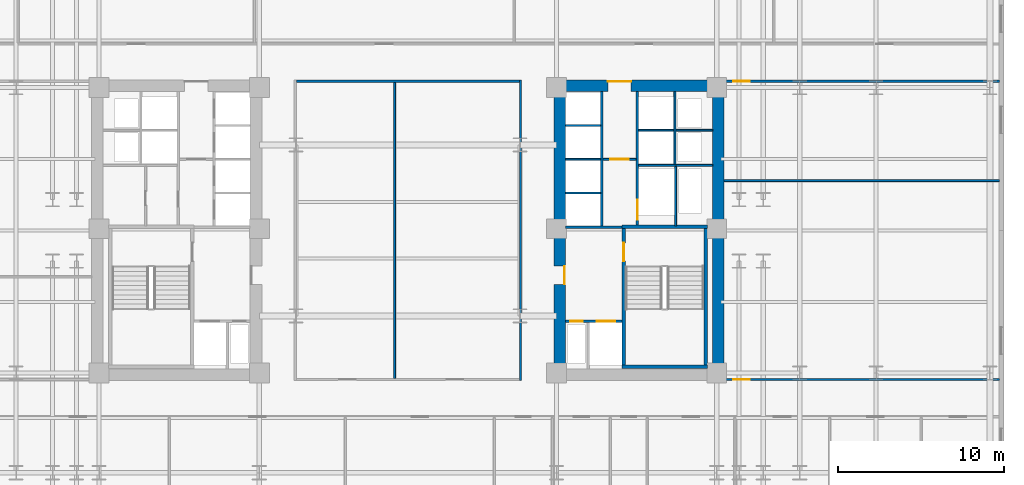
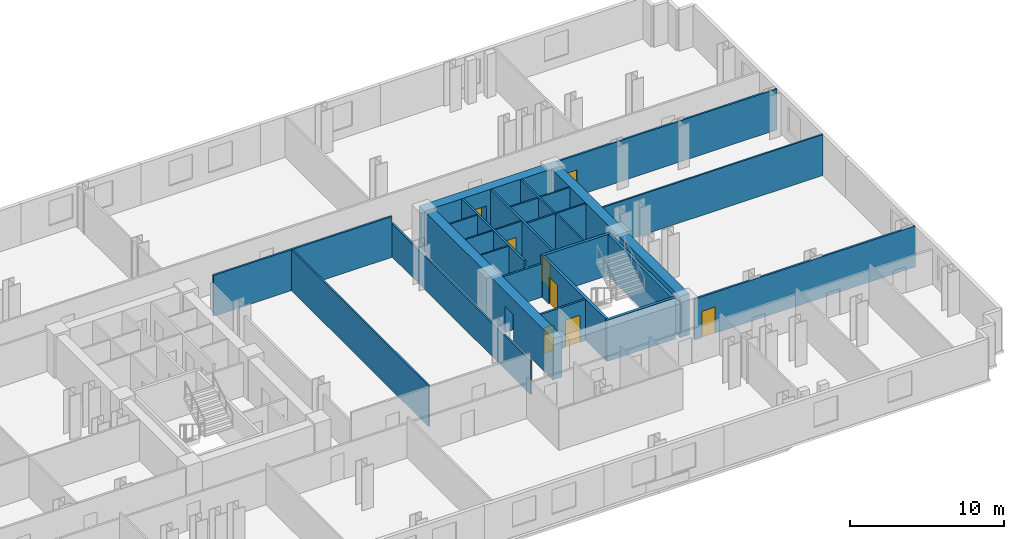
# One storey, part 6 of 10: 26 walls, 9 doors, 9 openings.
"""IFC4 building model written with IfcOpenShell, lengths in metres."""

import ifcopenshell
import ifcopenshell.guid

model = None  # the IFC model being written
_history = None  # IfcOwnerHistory: only IFC2X3 demands one
_inside = {}  # id of a spatial element -> (the spatial element, [elements in it])
_under = {}  # id of a project, library or spatial element -> (it, [spatial elements below it])
_declared = {}  # id of a project -> (the project, [libraries it declares])
_typed = {}  # id of a type object -> (the type object, [elements of that type])
_made_of = {}  # id of a material, layer set ... -> (it, [elements and type objects made of it])


def new_model(schema):
    """Start an empty IFC model of exactly this schema.

    Asked for "IFC4X3", IfcOpenShell would pick the latest addendum, in which some entities
    have other attributes; the version numbers below select the first issue.
    IFC2X3 requires an IfcOwnerHistory on every rooted entity: one is made here for all.
    """
    global model, _history
    if schema == "IFC4X3":
        model = ifcopenshell.file(schema_version=(4, 3, 0, 0))
    else:
        model = ifcopenshell.file(schema=schema)
    _inside.clear()
    _under.clear()
    _declared.clear()
    _typed.clear()
    _made_of.clear()
    _history = None
    if model.schema == "IFC2X3":
        org = make("IfcOrganization", Name="unknown")
        user = make(
            "IfcPersonAndOrganization",
            ThePerson=make("IfcPerson", FamilyName="unknown"),
            TheOrganization=org,
        )
        app = make(
            "IfcApplication",
            ApplicationDeveloper=org,
            Version="unknown",
            ApplicationFullName="unknown",
            ApplicationIdentifier="unknown",
        )
        _history = make(
            "IfcOwnerHistory",
            OwningUser=user,
            OwningApplication=app,
            ChangeAction="ADDED",
            CreationDate=0,
        )
    return model


def make(cls, **values):
    """One entity of the class cls with the attributes given. An attribute that is None is left unset."""
    return model.create_entity(
        cls, **{name: value for name, value in values.items() if value is not None}
    )


def rooted(cls, **values):
    """An entity with a GlobalId (a new one), such as an element, a storey or a relation."""
    return make(cls, GlobalId=ifcopenshell.guid.new(), OwnerHistory=_history, **values)


def si_unit(unit_type, name, prefix=None):
    """IfcSIUnit, for example si_unit("LENGTHUNIT", "METRE", prefix="MILLI")."""
    return make("IfcSIUnit", UnitType=unit_type, Prefix=prefix, Name=name)


def assignment(units):
    """IfcUnitAssignment: the units of a project."""
    return None if units is None else make("IfcUnitAssignment", Units=units)


def point(xyz):
    """IfcCartesianPoint."""
    return None if xyz is None else make("IfcCartesianPoint", Coordinates=xyz)


def direction(xyz):
    """IfcDirection."""
    return None if xyz is None else make("IfcDirection", DirectionRatios=xyz)


def frame(location, z_axis=None, x_axis=None):
    """IfcAxis2Placement3D, a coordinate frame: its origin and axes. An axis left out is left unset."""
    return make(
        "IfcAxis2Placement3D",
        Location=point(location),
        Axis=direction(z_axis),
        RefDirection=direction(x_axis),
    )


def frame_2d(location, x_axis=None):
    """IfcAxis2Placement2D, a coordinate frame in the plane: its origin and x axis."""
    return make(
        "IfcAxis2Placement2D", Location=point(location), RefDirection=direction(x_axis)
    )


def origin():
    """The frame at (0, 0, 0) with its axes left unset."""
    return frame((0.0, 0.0, 0.0))


def place(relative_to, where):
    """IfcLocalPlacement: puts the frame where relative to a parent placement (None: the world)."""
    return make(
        "IfcLocalPlacement", PlacementRelTo=relative_to, RelativePlacement=where
    )


def context(
    kind, dimensions, precision=None, world=None, true_north=None, identifier=None
):
    """IfcGeometricRepresentationContext, for example the 3D "Model" context."""
    return make(
        "IfcGeometricRepresentationContext",
        ContextIdentifier=identifier,
        ContextType=kind,
        CoordinateSpaceDimension=dimensions,
        Precision=precision,
        WorldCoordinateSystem=world,
        TrueNorth=true_north,
    )


def subcontext(parent, identifier, kind, view, scale=None):
    """IfcGeometricRepresentationSubContext, for example "Body" below "Model"."""
    return make(
        "IfcGeometricRepresentationSubContext",
        ContextIdentifier=identifier,
        ContextType=kind,
        ParentContext=parent,
        TargetScale=scale,
        TargetView=view,
    )


def project(units=None, contexts=None):
    """IfcProject with its units and contexts."""
    return rooted(
        "IfcProject",
        Name="project",
        RepresentationContexts=contexts,
        UnitsInContext=assignment(units),
    )


def spatial(cls, under=None, at=None, **own):
    """A site, building, storey or space (cls), placed at a placement, below another one or the project."""
    s = rooted(cls, ObjectPlacement=at, **own)
    if under is not None:
        _under.setdefault(under.id(), (under, []))[1].append(s)
    return s


def profile(cls, at=None, kind="AREA", **sizes):
    """A parametric profile (cls). Its sizes go by their IFC names, for example OverallWidth=200.0."""
    return make(cls, ProfileType=kind, Position=at, **sizes)


def rectangle(**sizes):
    """IfcRectangleProfileDef."""
    return profile("IfcRectangleProfileDef", **sizes)


def extrude(swept, where, along, depth):
    """IfcExtrudedAreaSolid: the profile swept, set in the frame where, extruded along a direction by depth."""
    return make(
        "IfcExtrudedAreaSolid",
        SweptArea=swept,
        Position=where,
        ExtrudedDirection=direction(along),
        Depth=depth,
    )


def shape(context_of_items, identifier, shape_type, items):
    """IfcShapeRepresentation: the items that make up one representation, for example the "Body"."""
    return make(
        "IfcShapeRepresentation",
        ContextOfItems=context_of_items,
        RepresentationIdentifier=identifier,
        RepresentationType=shape_type,
        Items=items,
    )


def material(Name=None, Category=None):
    """IfcMaterial."""
    return make("IfcMaterial", Name=Name, Category=Category)


def layer(
    of_material, thickness, ventilated=None, Name=None, Category=None, Priority=None
):
    """IfcMaterialLayer: one layer of a wall or slab, of a material (None: an air gap)."""
    return make(
        "IfcMaterialLayer",
        Material=of_material,
        LayerThickness=thickness,
        IsVentilated=ventilated,
        Name=Name,
        Category=Category,
        Priority=Priority,
    )


def layer_set(layers, Name=None):
    """IfcMaterialLayerSet."""
    return make("IfcMaterialLayerSet", MaterialLayers=layers, LayerSetName=Name)


def made_of(thing, what):
    """Note that an element or type object is made of a material, layer set ...; save() writes the relation."""
    if what is not None:
        _made_of.setdefault(what.id(), (what, []))[1].append(thing)
    return thing


def type_object(cls, material=None, **own):
    """A type object (cls), such as IfcWallType, which elements share."""
    return made_of(rooted(cls, **own), material)


def element(
    cls,
    number,
    at=None,
    inside=None,
    cuts=None,
    type_object=None,
    material=None,
    context=None,
    identifier="Body",
    shape_type=None,
    held_by="IfcProductDefinitionShape",
    body=None,
    shapes=None,
    **own,
):
    """One element of the class cls, such as IfcWall. Its Tag is "e" and its number.

    at: its placement. inside: the storey or other place that contains it. cuts: it is an
    opening in that element (IfcRelVoidsElement). A single representation is given by context,
    identifier, shape_type and body (its items); several are given by shapes. held_by: the class
    of the entity that holds the representations. save() writes the other relations.
    """
    e = rooted(cls, Tag="e%d" % number, ObjectPlacement=at, **own)
    if body is not None:
        shapes = [shape(context, identifier, shape_type, body)]
    if shapes is not None:
        e.Representation = make(held_by, Representations=shapes)
    if inside is not None:
        _inside.setdefault(inside.id(), (inside, []))[1].append(e)
    if cuts is not None:
        rooted(
            "IfcRelVoidsElement", RelatingBuildingElement=cuts, RelatedOpeningElement=e
        )
    if type_object is not None:
        _typed.setdefault(type_object.id(), (type_object, []))[1].append(e)
    return made_of(e, material)


def fill(opening, filler):
    """IfcRelFillsElement: the door or window that sits in an opening."""
    return rooted(
        "IfcRelFillsElement",
        RelatingOpeningElement=opening,
        RelatedBuildingElement=filler,
    )


def aggregate(whole, parts):
    """IfcRelAggregates: a whole, such as a stair, and the parts it consists of."""
    return rooted("IfcRelAggregates", RelatingObject=whole, RelatedObjects=parts)


def save(model, path):
    """Write the relations noted so far, then the file.

    IfcRelAggregates (storeys below a building ...), IfcRelContainedInSpatialStructure (elements
    in a storey), IfcRelDefinesByType, IfcRelAssociatesMaterial and IfcRelDeclares: one each for
    every whole, place, type object, material and project.
    """
    for whole, parts in _under.values():
        aggregate(whole, parts)
    for where, things in _inside.values():
        rooted(
            "IfcRelContainedInSpatialStructure",
            RelatedElements=things,
            RelatingStructure=where,
        )
    for kind, things in _typed.values():
        rooted("IfcRelDefinesByType", RelatedObjects=things, RelatingType=kind)
    for what, things in _made_of.values():
        rooted("IfcRelAssociatesMaterial", RelatedObjects=things, RelatingMaterial=what)
    for by, libraries in _declared.values():
        rooted("IfcRelDeclares", RelatingContext=by, RelatedDefinitions=libraries)
    model.write(path)


model = new_model("IFC4")

# Units and contexts
model_context = context("Model", 3, precision=1e-05, world=origin(), true_north=direction((0.0, 1.0)))
body_context = subcontext(model_context, "Body", "Model", "MODEL_VIEW")
ifc_project = project(units=[si_unit("LENGTHUNIT", "METRE"), si_unit("AREAUNIT", "SQUARE_METRE"), si_unit("VOLUMEUNIT", "CUBIC_METRE"), si_unit("PLANEANGLEUNIT", "RADIAN"), si_unit("MASSUNIT", "GRAM", prefix="KILO")], contexts=[model_context])

# Site, building, storey
site_placement = place(None, origin())
site = spatial("IfcSite", under=ifc_project, at=site_placement, CompositionType="ELEMENT")
building_placement = place(site_placement, origin())
building = spatial("IfcBuilding", under=site, at=building_placement, Name="Velakula Bourse", CompositionType="ELEMENT")
storey_placement = place(building_placement, frame((0.0, 0.0, 48.449951171875)))
storey = spatial("IfcBuildingStorey", under=building, at=storey_placement, Name="L12", CompositionType="ELEMENT", Elevation=48.449951171875)

# Wall, opening, door
ifc_material_1 = material(Name="Concrete M50 (fck 50 MPa)", Category="concrete")
ifc_layer_1 = layer(ifc_material_1, 0.2099609375, Name="Concrete M50 (fck 50 MPa)", Category="concrete")
ifc_layer_set_1 = layer_set([ifc_layer_1], Name="Concrete M50 (fck 50 MPa)")
wall_type_1 = type_object("IfcWallType", Name="WL-CORE-210", PredefinedType="SHEAR", material=ifc_layer_set_1)
wall_1_placement = place(storey_placement, frame((12.9951171875, -8.10009765625, 0.0), z_axis=(0.0, 0.0, 1.0), x_axis=(0.0, 1.0, 0.0)))
wall_1 = element("IfcWall", 1, at=wall_1_placement, inside=storey, type_object=wall_type_1, Name="L12 Core E Stairwell Shear Wall IN", PredefinedType="SHEAR", context=body_context, shape_type="SweptSolid", body=[
    extrude(rectangle(XDim=8.2001953125, YDim=0.2099609375, at=frame_2d((4.10009765625, 0.0))), origin(), (0.0, 0.0, 1.0), 3.27001953125),
])
opening_1_placement = place(wall_1_placement, frame((6.25, 0.0, 0.0)))
opening_1 = element("IfcOpeningElement", 2, at=opening_1_placement, cuts=wall_1, Name="Opening D-STE1", PredefinedType="OPENING", context=body_context, shape_type="SweptSolid", body=[
    extrude(rectangle(XDim=1.10009765625, YDim=2.14990234375, at=frame_2d((0.550048828125, 1.074951171875))), frame((0.0, 0.114990234375, 0.0), z_axis=(0.0, -1.0, 0.0), x_axis=(1.0, 0.0, 0.0)), (0.0, 0.0, 1.0), 0.22998046875),
])
ifc_material_2 = material(Name="Galvanised painted hollow steel fire door", Category="steel")
door_type_1 = type_object("IfcDoorType", Name="DR-FD120-1100x2150", OperationType="NOTDEFINED", PredefinedType="DOOR", material=ifc_material_2)
door_1_placement = place(opening_1_placement, origin())
door_1 = element("IfcDoor", 3, at=door_1_placement, inside=storey, type_object=door_type_1, Name="L12 Stair ST-E1 Fire Door", OperationType="SINGLE_SWING_RIGHT", OverallHeight=2.14990234375, OverallWidth=1.10009765625, PredefinedType="DOOR", context=body_context, shape_type="SweptSolid", body=[
    extrude(rectangle(XDim=1.10009765625, YDim=2.14990234375, at=frame_2d((0.550048828125, 1.074951171875))), frame((0.0, 0.02490234375, 0.0), z_axis=(0.0, -1.0, 0.0), x_axis=(1.0, 0.0, 0.0)), (0.0, 0.0, 1.0), 0.050048828125),
])
fill(opening_1, door_1)

# Walls
wall_2_placement = place(storey_placement, frame((17.925048828125, -8.10009765625, 0.0), z_axis=(0.0, 0.0, 1.0), x_axis=(0.0, 1.0, 0.0)))
element("IfcWall", 4, at=wall_2_placement, inside=storey, type_object=wall_type_1, Name="L12 Core E Stairwell Shear Wall OUT", PredefinedType="SHEAR", context=body_context, shape_type="SweptSolid", body=[
    extrude(rectangle(XDim=8.2001953125, YDim=0.2099609375, at=frame_2d((4.10009765625, 0.0))), origin(), (0.0, 0.0, 1.0), 3.27001953125),
])
for number, where, z_axis, x_axis, name in (
    (5, (12.889892578125, -8.205078125, 0.0), (0.0, 0.0, 1.0), (1.0, 0.0, 0.0), "L12 Core E Stairwell Shear Wall S"),
    (6, (18.030029296875, 0.205078125, 0.0), (0.0, 0.0, 1.0), (-1.0, 0.0, 0.0), "L12 Core E Stairwell Shear Wall N"),
):
    element("IfcWall", number, at=place(storey_placement, frame(where, z_axis=z_axis, x_axis=x_axis)), inside=storey, type_object=wall_type_1, Name=name, PredefinedType="SHEAR", context=body_context, shape_type="SweptSolid", body=[
        extrude(rectangle(XDim=5.14013671875, YDim=0.2099609375, at=frame_2d((2.570068359375, 0.0))), origin(), (0.0, 0.0, 1.0), 3.27001953125),
    ])

# Wall, opening, door
ifc_material_3 = material(Name="Concrete M70 (fck 70 MPa)", Category="concrete")
ifc_layer_2 = layer(ifc_material_3, 0.699951171875, Name="Concrete M70 (fck 70 MPa)", Category="concrete")
ifc_layer_set_2 = layer_set([ifc_layer_2], Name="Concrete M70 (fck 70 MPa)")
wall_type_2 = type_object("IfcWallType", Name="WL-CORE-700", PredefinedType="SHEAR", material=ifc_layer_set_2)
wall_3_placement = place(storey_placement, frame((8.800048828125, 8.699951171875, 0.0), z_axis=(0.0, 0.0, 1.0), x_axis=(1.0, 0.0, 0.0)))
wall_3 = element("IfcWall", 7, at=wall_3_placement, inside=storey, type_object=wall_type_2, Name="L12 Core E Shear Wall N", PredefinedType="SHEAR", context=body_context, shape_type="SweptSolid", body=[
    extrude(rectangle(XDim=10.25, YDim=0.699951171875, at=frame_2d((5.125, 0.0))), origin(), (0.0, 0.0, 1.0), 3.27001953125),
])
opening_2_placement = place(wall_3_placement, frame((3.25, 0.0, 0.0)))
opening_2 = element("IfcOpeningElement", 8, at=opening_2_placement, cuts=wall_3, Name="Opening D-LLE", PredefinedType="OPENING", context=body_context, shape_type="SweptSolid", body=[
    extrude(rectangle(XDim=1.39990234375, YDim=2.050048828125, at=frame_2d((0.699951171875, 1.02490234375))), frame((0.0, 0.35986328125, 0.0), z_axis=(0.0, -1.0, 0.0), x_axis=(1.0, 0.0, 0.0)), (0.0, 0.0, 1.0), 0.719970703125),
])
ifc_material_4 = material(Name="Fire-rated hardwood flush architectural door", Category="wood")
door_type_2 = type_object("IfcDoorType", Name="DR-DBL-FD60-1400", OperationType="DOUBLE_DOOR_SINGLE_SWING", PredefinedType="DOOR", material=ifc_material_4)
door_2_placement = place(opening_2_placement, origin())
door_2 = element("IfcDoor", 9, at=door_2_placement, inside=storey, type_object=door_type_2, Name="L12 Core E Lift Lobby Corridor Double Door", OperationType="DOUBLE_DOOR_SINGLE_SWING", OverallHeight=2.050048828125, OverallWidth=1.39990234375, PredefinedType="DOOR", context=body_context, shape_type="SweptSolid", body=[
    extrude(rectangle(XDim=1.39990234375, YDim=2.050048828125, at=frame_2d((0.699951171875, 1.02490234375))), frame((0.0, 0.294921875, 0.0), z_axis=(0.0, -1.0, 0.0), x_axis=(1.0, 0.0, 0.0)), (0.0, 0.0, 1.0), 0.050048828125),
])
fill(opening_2, door_2)

wall_4_placement = place(storey_placement, frame((9.14990234375, -8.35009765625, 0.0), z_axis=(0.0, 0.0, 1.0), x_axis=(0.0, 1.0, 0.0)))
wall_4 = element("IfcWall", 10, at=wall_4_placement, inside=storey, type_object=wall_type_2, Name="L12 Core E Shear Wall W", PredefinedType="SHEAR", context=body_context, shape_type="SweptSolid", body=[
    extrude(rectangle(XDim=16.7001953125, YDim=0.699951171875, at=frame_2d((8.35009765625, 0.0))), origin(), (0.0, 0.0, 1.0), 3.27001953125),
])
opening_3_placement = place(wall_4_placement, frame((5.10009765625, 0.0, 0.0)))
opening_3 = element("IfcOpeningElement", 11, at=opening_3_placement, cuts=wall_4, Name="Opening D-FLE", PredefinedType="OPENING", context=body_context, shape_type="SweptSolid", body=[
    extrude(rectangle(XDim=1.10009765625, YDim=2.080078125, at=frame_2d((0.550048828125, 1.0400390625))), frame((0.0, 0.35986328125, 0.0), z_axis=(0.0, -1.0, 0.0), x_axis=(1.0, 0.0, 0.0)), (0.0, 0.0, 1.0), 0.719970703125),
])
door_type_3 = type_object("IfcDoorType", Name="DR-FD120-1100", OperationType="NOTDEFINED", PredefinedType="DOOR", material=ifc_material_2)
door_3_placement = place(opening_3_placement, origin())
door_3 = element("IfcDoor", 12, at=door_3_placement, inside=storey, type_object=door_type_3, Name="L12 Firefighting Lobby E Corridor Fire Door", OperationType="SINGLE_SWING_RIGHT", OverallHeight=2.080078125, OverallWidth=1.10009765625, PredefinedType="DOOR", context=body_context, shape_type="SweptSolid", body=[
    extrude(rectangle(XDim=1.10009765625, YDim=2.080078125, at=frame_2d((0.550048828125, 1.0400390625))), frame((0.0, -0.2548828125, 0.0), z_axis=(0.0, -1.0, 0.0), x_axis=(1.0, 0.0, 0.0)), (0.0, 0.0, 1.0), 0.050048828125),
])
fill(opening_3, door_3)

# Wall
wall_5_placement = place(storey_placement, frame((18.699951171875, -8.35009765625, 0.0), z_axis=(0.0, 0.0, 1.0), x_axis=(0.0, 1.0, 0.0)))
element("IfcWall", 13, at=wall_5_placement, inside=storey, type_object=wall_type_2, Name="L12 Core E Shear Wall E", PredefinedType="SHEAR", context=body_context, shape_type="SweptSolid", body=[
    extrude(rectangle(XDim=16.7001953125, YDim=0.699951171875, at=frame_2d((8.35009765625, 0.0))), origin(), (0.0, 0.0, 1.0), 3.27001953125),
])

# Wall, opening, door
ifc_material_5 = material(Name="Fire-rated double-layer gypsum drywall partition", Category="gypsum")
ifc_layer_3 = layer(ifc_material_5, 0.1201171875, Name="Fire-rated double-layer gypsum drywall partition", Category="gypsum")
ifc_layer_set_3 = layer_set([ifc_layer_3], Name="Fire-rated double-layer gypsum drywall partition")
wall_type_3 = type_object("IfcWallType", Name="WL-PART-120", PredefinedType="STANDARD", material=ifc_layer_set_3)
wall_6_placement = place(storey_placement, frame((11.75, 4.280029296875, 0.0), z_axis=(0.0, 0.0, 1.0), x_axis=(1.0, 0.0, 0.0)))
wall_6 = element("IfcWall", 14, at=wall_6_placement, inside=storey, type_object=wall_type_3, Name="L12 Interior Partition WL-CRE-L12-LL-K2", PredefinedType="STANDARD", context=body_context, shape_type="SweptSolid", body=[
    extrude(rectangle(XDim=2.0, YDim=0.1201171875, at=frame_2d((1.0, 0.0))), origin(), (0.0, 0.0, 1.0), 3.25),
])
opening_4_placement = place(wall_6_placement, frame((0.449951171875, 0.0, 0.0)))
opening_4 = element("IfcOpeningElement", 15, at=opening_4_placement, cuts=wall_6, Name="Opening D-LK2", PredefinedType="OPENING", context=body_context, shape_type="SweptSolid", body=[
    extrude(rectangle(XDim=1.10009765625, YDim=2.10009765625, at=frame_2d((0.550048828125, 1.050048828125))), frame((0.0, 0.070068359375, 0.0), z_axis=(0.0, -1.0, 0.0), x_axis=(1.0, 0.0, 0.0)), (0.0, 0.0, 1.0), 0.14013671875),
])
door_type_4 = type_object("IfcDoorType", Name="DR-FD60-1100x2100", OperationType="NOTDEFINED", PredefinedType="DOOR", material=ifc_material_4)
door_4_placement = place(opening_4_placement, origin())
door_4 = element("IfcDoor", 16, at=door_4_placement, inside=storey, type_object=door_type_4, Name="L12 Core E Lift Lobby Zone Door", OperationType="SINGLE_SWING_LEFT", OverallHeight=2.10009765625, OverallWidth=1.10009765625, PredefinedType="DOOR", context=body_context, shape_type="SweptSolid", body=[
    extrude(rectangle(XDim=1.10009765625, YDim=2.10009765625, at=frame_2d((0.550048828125, 1.050048828125))), frame((0.0, 0.02490234375, 0.0), z_axis=(0.0, -1.0, 0.0), x_axis=(1.0, 0.0, 0.0)), (0.0, 0.0, 1.0), 0.050048828125),
])
fill(opening_4, door_4)

# Walls
for number, where, z_axis, x_axis, name in (
    (17, (9.5, 2.2548828125, 0.0), (0.0, 0.0, 1.0), (1.0, 0.0, 0.0), "L12 Interior Partition WL-CRE-L12-BDIV-0"),
    (18, (9.5, 4.284912109375, 0.0), (0.0, 0.0, 1.0), (1.0, 0.0, 0.0), "L12 Interior Partition WL-CRE-L12-BDIV-1"),
    (19, (9.5, 6.31494140625, 0.0), (0.0, 0.0, 1.0), (1.0, 0.0, 0.0), "L12 Interior Partition WL-CRE-L12-BDIV-2"),
):
    element("IfcWall", number, at=place(storey_placement, frame(where, z_axis=z_axis, x_axis=x_axis)), inside=storey, type_object=wall_type_3, Name=name, PredefinedType="STANDARD", context=body_context, shape_type="SweptSolid", body=[
        extrude(rectangle(XDim=2.10009765625, YDim=0.110107421875, at=frame_2d((1.050048828125, 0.0))), origin(), (0.0, 0.0, 1.0), 3.25),
    ])
wall_7_placement = place(storey_placement, frame((13.89990234375, 3.919921875, 0.0), z_axis=(0.0, 0.0, 1.0), x_axis=(1.0, 0.0, 0.0)))
element("IfcWall", 20, at=wall_7_placement, inside=storey, type_object=wall_type_3, Name="L12 Interior Partition WL-CRE-L12-HI-S", PredefinedType="STANDARD", context=body_context, shape_type="SweptSolid", body=[
    extrude(rectangle(XDim=4.4501953125, YDim=0.1201171875, at=frame_2d((2.22509765625, 0.0))), origin(), (0.0, 0.0, 1.0), 3.25),
])
wall_8_placement = place(storey_placement, frame((16.14990234375, 6.030029296875, 0.0), z_axis=(0.0, 0.0, 1.0), x_axis=(1.0, 0.0, 0.0)))
element("IfcWall", 21, at=wall_8_placement, inside=storey, type_object=wall_type_3, Name="L12 Interior Partition WL-CRE-L12-RIS-MID", PredefinedType="STANDARD", context=body_context, shape_type="SweptSolid", body=[
    extrude(rectangle(XDim=2.2001953125, YDim=0.1201171875, at=frame_2d((1.10009765625, 0.0))), origin(), (0.0, 0.0, 1.0), 3.25),
])
wall_9_placement = place(storey_placement, frame((16.074951171875, 3.97998046875, 0.0), z_axis=(0.0, 0.0, 1.0), x_axis=(0.0, 1.0, 0.0)))
element("IfcWall", 22, at=wall_9_placement, inside=storey, type_object=wall_type_3, Name="L12 Interior Partition WL-CRE-L12-RIS-F", PredefinedType="STANDARD", context=body_context, shape_type="SweptSolid", body=[
    extrude(rectangle(XDim=4.3701171875, YDim=0.1201171875, at=frame_2d((2.18505859375, 0.0))), origin(), (0.0, 0.0, 1.0), 3.25),
])
wall_10_placement = place(storey_placement, frame((13.89990234375, 6.030029296875, 0.0), z_axis=(0.0, 0.0, 1.0), x_axis=(1.0, 0.0, 0.0)))
element("IfcWall", 23, at=wall_10_placement, inside=storey, type_object=wall_type_3, Name="L12 Interior Partition WL-CRE-L12-HI-DIV", PredefinedType="STANDARD", context=body_context, shape_type="SweptSolid", body=[
    extrude(rectangle(XDim=2.10009765625, YDim=0.1201171875, at=frame_2d((1.050048828125, 0.0))), origin(), (0.0, 0.0, 1.0), 3.25),
])
wall_11_placement = place(storey_placement, frame((16.125, 0.27001953125, 0.0), z_axis=(0.0, 0.0, 1.0), x_axis=(0.0, 1.0, 0.0)))
element("IfcWall", 24, at=wall_11_placement, inside=storey, type_object=wall_type_3, Name="L12 Interior Partition WL-CRE-L12-SVL-E", PredefinedType="STANDARD", context=body_context, shape_type="SweptSolid", body=[
    extrude(rectangle(XDim=3.590087890625, YDim=0.1201171875, at=frame_2d((1.794921875, 0.0))), origin(), (0.0, 0.0, 1.0), 3.25),
])
wall_12_placement = place(storey_placement, frame((19.050048828125, 3.0, 0.0), z_axis=(0.0, 0.0, 1.0), x_axis=(1.0, 0.0, 0.0)))
element("IfcWall", 25, at=wall_12_placement, inside=storey, type_object=wall_type_3, Name="L12 Interior Partition WL-INT-L12-E-H", PredefinedType="STANDARD", context=body_context, shape_type="SweptSolid", body=[
    extrude(rectangle(XDim=16.570068359375, YDim=0.1201171875, at=frame_2d((8.28515625, 0.0))), origin(), (0.0, 0.0, 1.0), 3.25),
])

# Wall, opening, door
ifc_layer_4 = layer(ifc_material_5, 0.139892578125, Name="Fire-rated double-layer gypsum drywall partition", Category="gypsum")
ifc_layer_set_4 = layer_set([ifc_layer_4], Name="Fire-rated double-layer gypsum drywall partition")
wall_type_4 = type_object("IfcWallType", Name="WL-PART-140", PredefinedType="STANDARD", material=ifc_layer_set_4)
wall_13_placement = place(storey_placement, frame((19.050048828125, 8.97998046875, 0.0), z_axis=(0.0, 0.0, 1.0), x_axis=(1.0, 0.0, 0.0)))
wall_13 = element("IfcWall", 26, at=wall_13_placement, inside=storey, type_object=wall_type_4, Name="L12 Interior Partition WL-INT-L12-E-NC", PredefinedType="STANDARD", context=body_context, shape_type="SweptSolid", body=[
    extrude(rectangle(XDim=16.570068359375, YDim=0.139892578125, at=frame_2d((8.28515625, 0.0))), origin(), (0.0, 0.0, 1.0), 3.25),
])
opening_5_placement = place(wall_13_placement, frame((0.53955078125, 0.0, 0.0)))
opening_5 = element("IfcOpeningElement", 27, at=opening_5_placement, cuts=wall_13, Name="Opening D-OF1", PredefinedType="OPENING", context=body_context, shape_type="SweptSolid", body=[
    extrude(rectangle(XDim=1.0, YDim=2.080078125, at=frame_2d((0.5, 1.0400390625))), frame((0.0, 0.079833984375, 0.0), z_axis=(0.0, -1.0, 0.0), x_axis=(1.0, 0.0, 0.0)), (0.0, 0.0, 1.0), 0.159912109375),
])
door_type_5 = type_object("IfcDoorType", Name="DR-OFF-1000", OperationType="NOTDEFINED", PredefinedType="DOOR", material=ifc_material_4)
door_5_placement = place(opening_5_placement, origin())
door_5 = element("IfcDoor", 28, at=door_5_placement, inside=storey, type_object=door_type_5, Name="L12 Issuer Relations Office Door", OperationType="SINGLE_SWING_LEFT", OverallHeight=2.080078125, OverallWidth=1.0, PredefinedType="DOOR", context=body_context, shape_type="SweptSolid", body=[
    extrude(rectangle(XDim=1.0, YDim=2.080078125, at=frame_2d((0.5, 1.0400390625))), frame((0.0, 0.02490234375, 0.0), z_axis=(0.0, -1.0, 0.0), x_axis=(1.0, 0.0, 0.0)), (0.0, 0.0, 1.0), 0.050048828125),
])
fill(opening_5, door_5)

wall_14_placement = place(storey_placement, frame((19.050048828125, -8.97998046875, 0.0), z_axis=(0.0, 0.0, 1.0), x_axis=(1.0, 0.0, 0.0)))
wall_14 = element("IfcWall", 29, at=wall_14_placement, inside=storey, type_object=wall_type_4, Name="L12 Interior Partition WL-INT-L12-E-SC", PredefinedType="STANDARD", context=body_context, shape_type="SweptSolid", body=[
    extrude(rectangle(XDim=16.570068359375, YDim=0.139892578125, at=frame_2d((8.28515625, 0.0))), origin(), (0.0, 0.0, 1.0), 3.25),
])
opening_6_placement = place(wall_14_placement, frame((0.53955078125, 0.0, 0.0)))
opening_6 = element("IfcOpeningElement", 30, at=opening_6_placement, cuts=wall_14, Name="Opening D-OF1", PredefinedType="OPENING", context=body_context, shape_type="SweptSolid", body=[
    extrude(rectangle(XDim=1.0, YDim=2.080078125, at=frame_2d((0.5, 1.0400390625))), frame((0.0, 0.079833984375, 0.0), z_axis=(0.0, -1.0, 0.0), x_axis=(1.0, 0.0, 0.0)), (0.0, 0.0, 1.0), 0.159912109375),
])
door_6_placement = place(opening_6_placement, origin())
door_6 = element("IfcDoor", 31, at=door_6_placement, inside=storey, type_object=door_type_5, Name="L12 ESG Rating Analytics Workspace Door", OperationType="SINGLE_SWING_RIGHT", OverallHeight=2.080078125, OverallWidth=1.0, PredefinedType="DOOR", context=body_context, shape_type="SweptSolid", body=[
    extrude(rectangle(XDim=1.0, YDim=2.080078125, at=frame_2d((0.5, 1.0400390625))), frame((0.0, 0.02490234375, 0.0), z_axis=(0.0, -1.0, 0.0), x_axis=(1.0, 0.0, 0.0)), (0.0, 0.0, 1.0), 0.050048828125),
])
fill(opening_6, door_6)

# Walls
wall_15_placement = place(storey_placement, frame((6.780029296875, -9.050048828125, 0.0), z_axis=(0.0, 0.0, 1.0), x_axis=(0.0, 1.0, 0.0)))
element("IfcWall", 32, at=wall_15_placement, inside=storey, type_object=wall_type_4, Name="L12 Interior Partition WL-INT-L12-MID-E", PredefinedType="STANDARD", context=body_context, shape_type="SweptSolid", body=[
    extrude(rectangle(XDim=18.10009765625, YDim=0.139892578125, at=frame_2d((9.050048828125, 0.0))), origin(), (0.0, 0.0, 1.0), 2.64501953125),
])
wall_16_placement = place(storey_placement, frame((-6.7099609375, 8.97998046875, 0.0), z_axis=(0.0, 0.0, 1.0), x_axis=(1.0, 0.0, 0.0)))
element("IfcWall", 33, at=wall_16_placement, inside=storey, type_object=wall_type_4, Name="L12 Interior Partition WL-INT-L12-MID-N", PredefinedType="STANDARD", context=body_context, shape_type="SweptSolid", body=[
    extrude(rectangle(XDim=13.419921875, YDim=0.139892578125, at=frame_2d((6.7099609375, 0.0))), origin(), (0.0, 0.0, 1.0), 3.25),
])
wall_17_placement = place(storey_placement, frame((-0.800048828125, -8.909912109375, 0.0), z_axis=(0.0, 0.0, 1.0), x_axis=(0.0, 1.0, 0.0)))
element("IfcWall", 34, at=wall_17_placement, inside=storey, type_object=wall_type_4, Name="L12 Interior Partition WL-INT-L12-MDX", PredefinedType="STANDARD", context=body_context, shape_type="SweptSolid", body=[
    extrude(rectangle(XDim=17.81982421875, YDim=0.1201171875, at=frame_2d((8.909912109375, 0.0))), origin(), (0.0, 0.0, 1.0), 3.25),
])

# Wall, openings, doors
ifc_material_6 = material(Name="Autoclaved aerated concrete blockwork masonry", Category="masonry")
ifc_layer_5 = layer(ifc_material_6, 0.14990234375, Name="Autoclaved aerated concrete blockwork masonry", Category="masonry")
ifc_layer_set_5 = layer_set([ifc_layer_5], Name="Autoclaved aerated concrete blockwork masonry")
wall_type_5 = type_object("IfcWallType", Name="WL-SHAFT-150", PredefinedType="STANDARD", material=ifc_layer_set_5)
wall_18_placement = place(storey_placement, frame((9.5, -5.47509765625, 0.0), z_axis=(0.0, 0.0, 1.0), x_axis=(1.0, 0.0, 0.0)))
wall_18 = element("IfcWall", 35, at=wall_18_placement, inside=storey, type_object=wall_type_5, Name="L12 Interior Partition WL-CRE-L12-FFL-N", PredefinedType="STANDARD", context=body_context, shape_type="SweptSolid", body=[
    extrude(rectangle(XDim=3.39501953125, YDim=0.14990234375, at=frame_2d((1.697509765625, 0.0))), origin(), (0.0, 0.0, 1.0), 3.25),
])
opening_7_placement = place(wall_18_placement, frame((1.875, 0.0, 0.0)))
opening_7 = element("IfcOpeningElement", 36, at=opening_7_placement, cuts=wall_18, Name="Opening LD-FFL-2", PredefinedType="OPENING", context=body_context, shape_type="SweptSolid", body=[
    extrude(rectangle(XDim=1.10009765625, YDim=2.14990234375, at=frame_2d((0.550048828125, 1.074951171875))), frame((0.0, 0.0849609375, 0.0), z_axis=(0.0, -1.0, 0.0), x_axis=(1.0, 0.0, 0.0)), (0.0, 0.0, 1.0), 0.169921875),
])
opening_8_placement = place(wall_18_placement, frame((0.27490234375, 0.0, 0.0)))
opening_8 = element("IfcOpeningElement", 37, at=opening_8_placement, cuts=wall_18, Name="Opening D-RS1", PredefinedType="OPENING", context=body_context, shape_type="SweptSolid", body=[
    extrude(rectangle(XDim=0.75, YDim=2.050048828125, at=frame_2d((0.375, 1.02490234375))), frame((0.0, 0.0849609375, 0.0), z_axis=(0.0, -1.0, 0.0), x_axis=(1.0, 0.0, 0.0)), (0.0, 0.0, 1.0), 0.169921875),
])
door_type_6 = type_object("IfcDoorType", Name="DR-RISER-800", OperationType="NOTDEFINED", PredefinedType="DOOR", material=ifc_material_2)
door_7_placement = place(opening_8_placement, origin())
door_7 = element("IfcDoor", 38, at=door_7_placement, inside=storey, type_object=door_type_6, Name="L12 Fire Riser Access Door", OperationType="SINGLE_SWING_LEFT", OverallHeight=2.050048828125, OverallWidth=0.75, PredefinedType="DOOR", context=body_context, shape_type="SweptSolid", body=[
    extrude(rectangle(XDim=0.75, YDim=2.050048828125, at=frame_2d((0.375, 1.02490234375))), frame((0.0, 0.02490234375, 0.0), z_axis=(0.0, -1.0, 0.0), x_axis=(1.0, 0.0, 0.0)), (0.0, 0.0, 1.0), 0.050048828125),
])
fill(opening_8, door_7)
ifc_material_7 = material(Name="Brushed grade 316 stainless steel", Category="steel")
door_type_7 = type_object("IfcDoorType", Name="DR-SLIDE-FFL-1100", OperationType="DOUBLE_DOOR_SLIDING", PredefinedType="DOOR", material=ifc_material_7)
door_8_placement = place(opening_7_placement, origin())
door_8 = element("IfcDoor", 39, at=door_8_placement, inside=storey, type_object=door_type_7, Name="L12 Firefighting Lift FFL-2 Sliding Landing Door", OperationType="DOUBLE_DOOR_SLIDING", OverallHeight=2.14990234375, OverallWidth=1.10009765625, PredefinedType="DOOR", context=body_context, shape_type="SweptSolid", body=[
    extrude(rectangle(XDim=1.10009765625, YDim=2.14990234375, at=frame_2d((0.550048828125, 1.074951171875))), frame((0.0, 0.02490234375, 0.0), z_axis=(0.0, -1.0, 0.0), x_axis=(1.0, 0.0, 0.0)), (0.0, 0.0, 1.0), 0.050048828125),
])
fill(opening_7, door_8)

# Walls
wall_19_placement = place(storey_placement, frame((9.5, 0.18994140625, 0.0), z_axis=(0.0, 0.0, 1.0), x_axis=(1.0, 0.0, 0.0)))
element("IfcWall", 40, at=wall_19_placement, inside=storey, type_object=wall_type_5, Name="L12 Interior Partition WL-CRE-L12-FF-TOP", PredefinedType="STANDARD", context=body_context, shape_type="SweptSolid", body=[
    extrude(rectangle(XDim=3.389892578125, YDim=0.14990234375, at=frame_2d((1.69482421875, 0.0))), origin(), (0.0, 0.0, 1.0), 2.64501953125),
])
wall_20_placement = place(storey_placement, frame((11.675048828125, 0.27001953125, 0.0), z_axis=(0.0, 0.0, 1.0), x_axis=(0.0, 1.0, 0.0)))
element("IfcWall", 41, at=wall_20_placement, inside=storey, type_object=wall_type_5, Name="L12 Interior Partition WL-CRE-L12-BANK-F", PredefinedType="STANDARD", context=body_context, shape_type="SweptSolid", body=[
    extrude(rectangle(XDim=8.080078125, YDim=0.14990234375, at=frame_2d((4.0400390625, 0.0))), origin(), (0.0, 0.0, 1.0), 3.25),
])

# Wall, opening, door
wall_21_placement = place(storey_placement, frame((13.824951171875, 0.27001953125, 0.0), z_axis=(0.0, 0.0, 1.0), x_axis=(0.0, 1.0, 0.0)))
wall_21 = element("IfcWall", 42, at=wall_21_placement, inside=storey, type_object=wall_type_5, Name="L12 Interior Partition WL-CRE-L12-OUT-F", PredefinedType="STANDARD", context=body_context, shape_type="SweptSolid", body=[
    extrude(rectangle(XDim=8.080078125, YDim=0.14990234375, at=frame_2d((4.0400390625, 0.0))), origin(), (0.0, 0.0, 1.0), 3.25),
])
opening_9_placement = place(wall_21_placement, frame((0.3798828125, 0.0, 0.0)))
opening_9 = element("IfcOpeningElement", 43, at=opening_9_placement, cuts=wall_21, Name="Opening LD-SVL1", PredefinedType="OPENING", context=body_context, shape_type="SweptSolid", body=[
    extrude(rectangle(XDim=1.199951171875, YDim=2.10009765625, at=frame_2d((0.60009765625, 1.050048828125))), frame((0.0, 0.0849609375, 0.0), z_axis=(0.0, -1.0, 0.0), x_axis=(1.0, 0.0, 0.0)), (0.0, 0.0, 1.0), 0.169921875),
])
door_type_8 = type_object("IfcDoorType", Name="DR-SLIDE-LD-1200", OperationType="DOUBLE_DOOR_SLIDING", PredefinedType="DOOR", material=ifc_material_7)
door_9_placement = place(opening_9_placement, origin())
door_9 = element("IfcDoor", 44, at=door_9_placement, inside=storey, type_object=door_type_8, Name="L12 Service Lift SVL-1 Sliding Landing Door", OperationType="DOUBLE_DOOR_SLIDING", OverallHeight=2.10009765625, OverallWidth=1.199951171875, PredefinedType="DOOR", context=body_context, shape_type="SweptSolid", body=[
    extrude(rectangle(XDim=1.199951171875, YDim=2.10009765625, at=frame_2d((0.60009765625, 1.050048828125))), frame((0.0, 0.02490234375, 0.0), z_axis=(0.0, -1.0, 0.0), x_axis=(1.0, 0.0, 0.0)), (0.0, 0.0, 1.0), 0.050048828125),
])
fill(opening_9, door_9)

save(model, "model.ifc")
